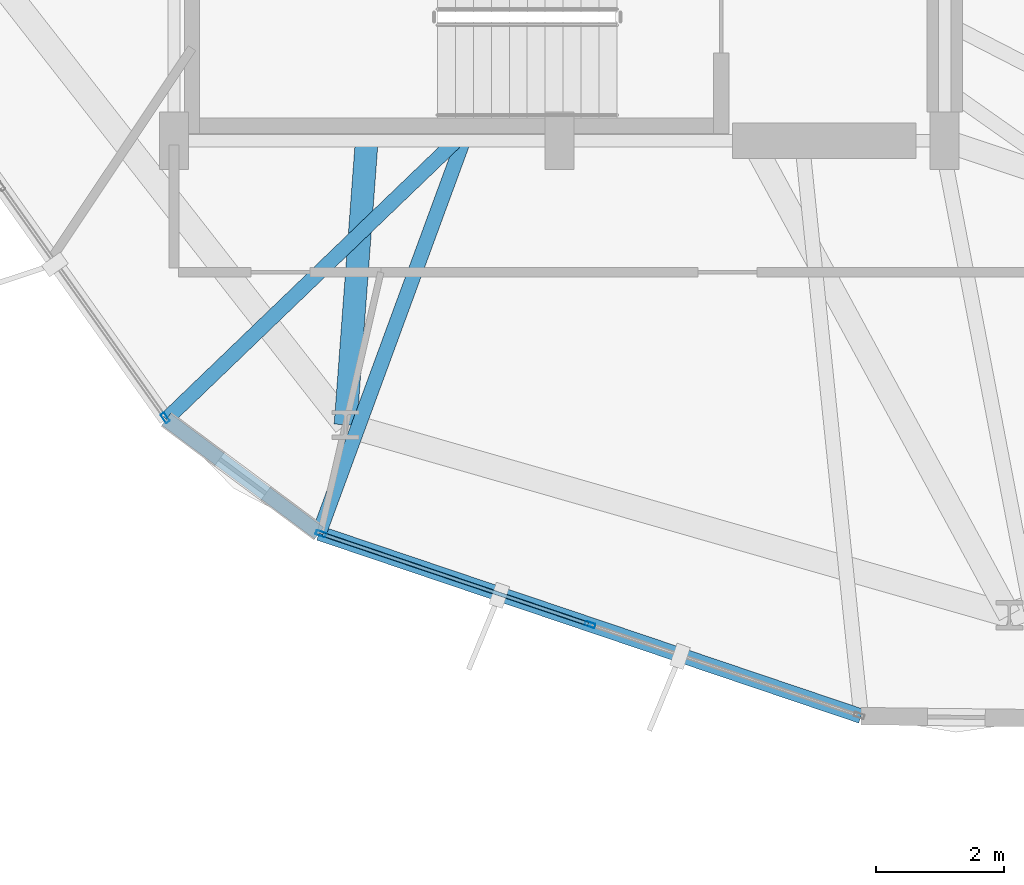
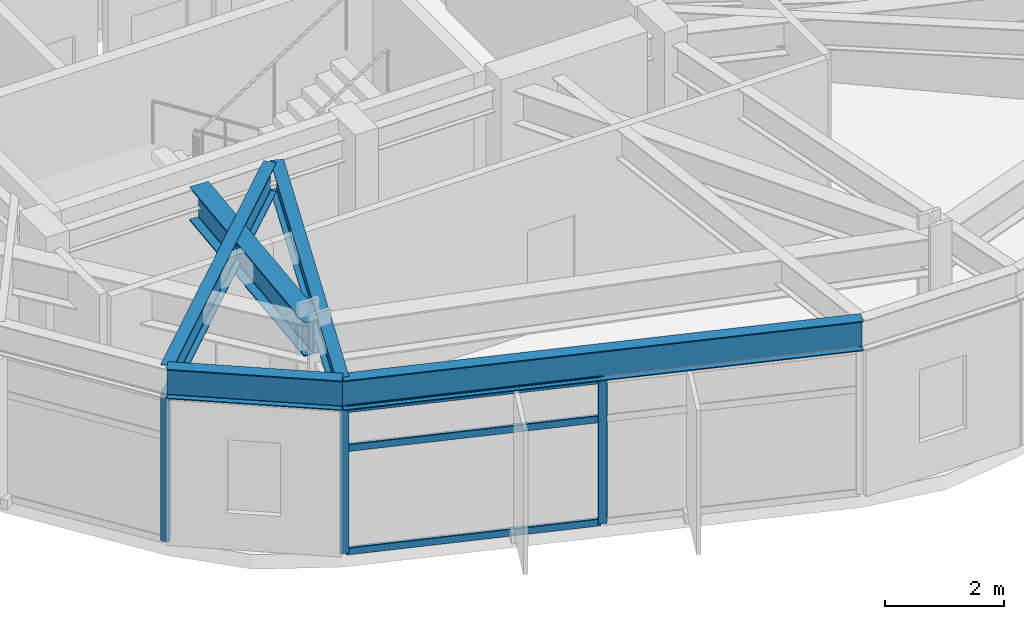
# One storey, part 2 of 27: 6 members, 5 beams, 2 elements without a shape of their own.
"""IFC4 building model written with IfcOpenShell, lengths in metres."""

import ifcopenshell
import ifcopenshell.guid

model = None  # the IFC model being written
_history = None  # IfcOwnerHistory: only IFC2X3 demands one
_inside = {}  # id of a spatial element -> (the spatial element, [elements in it])
_under = {}  # id of a project, library or spatial element -> (it, [spatial elements below it])
_declared = {}  # id of a project -> (the project, [libraries it declares])
_typed = {}  # id of a type object -> (the type object, [elements of that type])
_made_of = {}  # id of a material, layer set ... -> (it, [elements and type objects made of it])


def new_model(schema):
    """Start an empty IFC model of exactly this schema.

    Asked for "IFC4X3", IfcOpenShell would pick the latest addendum, in which some entities
    have other attributes; the version numbers below select the first issue.
    IFC2X3 requires an IfcOwnerHistory on every rooted entity: one is made here for all.
    """
    global model, _history
    if schema == "IFC4X3":
        model = ifcopenshell.file(schema_version=(4, 3, 0, 0))
    else:
        model = ifcopenshell.file(schema=schema)
    _inside.clear()
    _under.clear()
    _declared.clear()
    _typed.clear()
    _made_of.clear()
    _history = None
    if model.schema == "IFC2X3":
        org = make("IfcOrganization", Name="unknown")
        user = make(
            "IfcPersonAndOrganization",
            ThePerson=make("IfcPerson", FamilyName="unknown"),
            TheOrganization=org,
        )
        app = make(
            "IfcApplication",
            ApplicationDeveloper=org,
            Version="unknown",
            ApplicationFullName="unknown",
            ApplicationIdentifier="unknown",
        )
        _history = make(
            "IfcOwnerHistory",
            OwningUser=user,
            OwningApplication=app,
            ChangeAction="ADDED",
            CreationDate=0,
        )
    return model


def make(cls, **values):
    """One entity of the class cls with the attributes given. An attribute that is None is left unset."""
    return model.create_entity(
        cls, **{name: value for name, value in values.items() if value is not None}
    )


def rooted(cls, **values):
    """An entity with a GlobalId (a new one), such as an element, a storey or a relation."""
    return make(cls, GlobalId=ifcopenshell.guid.new(), OwnerHistory=_history, **values)


def si_unit(unit_type, name, prefix=None):
    """IfcSIUnit, for example si_unit("LENGTHUNIT", "METRE", prefix="MILLI")."""
    return make("IfcSIUnit", UnitType=unit_type, Prefix=prefix, Name=name)


def assignment(units):
    """IfcUnitAssignment: the units of a project."""
    return None if units is None else make("IfcUnitAssignment", Units=units)


def point(xyz):
    """IfcCartesianPoint."""
    return None if xyz is None else make("IfcCartesianPoint", Coordinates=xyz)


def direction(xyz):
    """IfcDirection."""
    return None if xyz is None else make("IfcDirection", DirectionRatios=xyz)


def frame(location, z_axis=None, x_axis=None):
    """IfcAxis2Placement3D, a coordinate frame: its origin and axes. An axis left out is left unset."""
    return make(
        "IfcAxis2Placement3D",
        Location=point(location),
        Axis=direction(z_axis),
        RefDirection=direction(x_axis),
    )


def frame_2d(location, x_axis=None):
    """IfcAxis2Placement2D, a coordinate frame in the plane: its origin and x axis."""
    return make(
        "IfcAxis2Placement2D", Location=point(location), RefDirection=direction(x_axis)
    )


def origin():
    """The frame at (0, 0, 0) with its axes left unset."""
    return frame((0.0, 0.0, 0.0))


def origin_2d():
    """The frame at (0, 0) in the plane with its x axis left unset."""
    return frame_2d((0.0, 0.0))


def place(relative_to, where):
    """IfcLocalPlacement: puts the frame where relative to a parent placement (None: the world)."""
    return make(
        "IfcLocalPlacement", PlacementRelTo=relative_to, RelativePlacement=where
    )


def context(
    kind, dimensions, precision=None, world=None, true_north=None, identifier=None
):
    """IfcGeometricRepresentationContext, for example the 3D "Model" context."""
    return make(
        "IfcGeometricRepresentationContext",
        ContextIdentifier=identifier,
        ContextType=kind,
        CoordinateSpaceDimension=dimensions,
        Precision=precision,
        WorldCoordinateSystem=world,
        TrueNorth=true_north,
    )


def subcontext(parent, identifier, kind, view, scale=None):
    """IfcGeometricRepresentationSubContext, for example "Body" below "Model"."""
    return make(
        "IfcGeometricRepresentationSubContext",
        ContextIdentifier=identifier,
        ContextType=kind,
        ParentContext=parent,
        TargetScale=scale,
        TargetView=view,
    )


def project(units=None, contexts=None):
    """IfcProject with its units and contexts."""
    return rooted(
        "IfcProject",
        Name="project",
        RepresentationContexts=contexts,
        UnitsInContext=assignment(units),
    )


def spatial(cls, under=None, at=None, **own):
    """A site, building, storey or space (cls), placed at a placement, below another one or the project."""
    s = rooted(cls, ObjectPlacement=at, **own)
    if under is not None:
        _under.setdefault(under.id(), (under, []))[1].append(s)
    return s


def profile(cls, at=None, kind="AREA", **sizes):
    """A parametric profile (cls). Its sizes go by their IFC names, for example OverallWidth=200.0."""
    return make(cls, ProfileType=kind, Position=at, **sizes)


def hollow_rectangle(**sizes):
    """IfcRectangleHollowProfileDef."""
    return profile("IfcRectangleHollowProfileDef", **sizes)


def i_section(**sizes):
    """IfcIShapeProfileDef."""
    return profile("IfcIShapeProfileDef", **sizes)


def extrude(swept, where, along, depth):
    """IfcExtrudedAreaSolid: the profile swept, set in the frame where, extruded along a direction by depth."""
    return make(
        "IfcExtrudedAreaSolid",
        SweptArea=swept,
        Position=where,
        ExtrudedDirection=direction(along),
        Depth=depth,
    )


def shape(context_of_items, identifier, shape_type, items):
    """IfcShapeRepresentation: the items that make up one representation, for example the "Body"."""
    return make(
        "IfcShapeRepresentation",
        ContextOfItems=context_of_items,
        RepresentationIdentifier=identifier,
        RepresentationType=shape_type,
        Items=items,
    )


def material(Name=None, Category=None):
    """IfcMaterial."""
    return make("IfcMaterial", Name=Name, Category=Category)


def layer(
    of_material, thickness, ventilated=None, Name=None, Category=None, Priority=None
):
    """IfcMaterialLayer: one layer of a wall or slab, of a material (None: an air gap)."""
    return make(
        "IfcMaterialLayer",
        Material=of_material,
        LayerThickness=thickness,
        IsVentilated=ventilated,
        Name=Name,
        Category=Category,
        Priority=Priority,
    )


def layer_set(layers, Name=None):
    """IfcMaterialLayerSet."""
    return make("IfcMaterialLayerSet", MaterialLayers=layers, LayerSetName=Name)


def material_profile(
    of_material, cross_section, Name=None, Category=None, Priority=None
):
    """IfcMaterialProfile: a cross section and its material."""
    return make(
        "IfcMaterialProfile",
        Name=Name,
        Material=of_material,
        Profile=cross_section,
        Priority=Priority,
        Category=Category,
    )


def profile_set(profiles, Name=None, composite=None):
    """IfcMaterialProfileSet."""
    return make(
        "IfcMaterialProfileSet",
        Name=Name,
        MaterialProfiles=profiles,
        CompositeProfile=composite,
    )


def made_of(thing, what):
    """Note that an element or type object is made of a material, layer set ...; save() writes the relation."""
    if what is not None:
        _made_of.setdefault(what.id(), (what, []))[1].append(thing)
    return thing


def type_object(cls, material=None, **own):
    """A type object (cls), such as IfcWallType, which elements share."""
    return made_of(rooted(cls, **own), material)


def element(
    cls,
    number,
    at=None,
    inside=None,
    cuts=None,
    type_object=None,
    material=None,
    context=None,
    identifier="Body",
    shape_type=None,
    held_by="IfcProductDefinitionShape",
    body=None,
    shapes=None,
    **own,
):
    """One element of the class cls, such as IfcWall. Its Tag is "e" and its number.

    at: its placement. inside: the storey or other place that contains it. cuts: it is an
    opening in that element (IfcRelVoidsElement). A single representation is given by context,
    identifier, shape_type and body (its items); several are given by shapes. held_by: the class
    of the entity that holds the representations. save() writes the other relations.
    """
    e = rooted(cls, Tag="e%d" % number, ObjectPlacement=at, **own)
    if body is not None:
        shapes = [shape(context, identifier, shape_type, body)]
    if shapes is not None:
        e.Representation = make(held_by, Representations=shapes)
    if inside is not None:
        _inside.setdefault(inside.id(), (inside, []))[1].append(e)
    if cuts is not None:
        rooted(
            "IfcRelVoidsElement", RelatingBuildingElement=cuts, RelatedOpeningElement=e
        )
    if type_object is not None:
        _typed.setdefault(type_object.id(), (type_object, []))[1].append(e)
    return made_of(e, material)


def aggregate(whole, parts):
    """IfcRelAggregates: a whole, such as a stair, and the parts it consists of."""
    return rooted("IfcRelAggregates", RelatingObject=whole, RelatedObjects=parts)


def save(model, path):
    """Write the relations noted so far, then the file.

    IfcRelAggregates (storeys below a building ...), IfcRelContainedInSpatialStructure (elements
    in a storey), IfcRelDefinesByType, IfcRelAssociatesMaterial and IfcRelDeclares: one each for
    every whole, place, type object, material and project.
    """
    for whole, parts in _under.values():
        aggregate(whole, parts)
    for where, things in _inside.values():
        rooted(
            "IfcRelContainedInSpatialStructure",
            RelatedElements=things,
            RelatingStructure=where,
        )
    for kind, things in _typed.values():
        rooted("IfcRelDefinesByType", RelatedObjects=things, RelatingType=kind)
    for what, things in _made_of.values():
        rooted("IfcRelAssociatesMaterial", RelatedObjects=things, RelatingMaterial=what)
    for by, libraries in _declared.values():
        rooted("IfcRelDeclares", RelatingContext=by, RelatedDefinitions=libraries)
    model.write(path)


model = new_model("IFC4")

# Units and contexts
model_context = context("Model", 3, precision=1e-05, world=origin(), true_north=direction((0.0, 1.0)))
body_context = subcontext(model_context, "Body", "Model", "MODEL_VIEW")
ifc_project = project(units=[si_unit("LENGTHUNIT", "METRE"), si_unit("AREAUNIT", "SQUARE_METRE"), si_unit("VOLUMEUNIT", "CUBIC_METRE"), si_unit("PLANEANGLEUNIT", "RADIAN"), si_unit("MASSUNIT", "GRAM", prefix="KILO")], contexts=[model_context])

# Site, building, storey
site_placement = place(None, origin())
site = spatial("IfcSite", under=ifc_project, at=site_placement, CompositionType="ELEMENT")
building_placement = place(site_placement, origin())
building = spatial("IfcBuilding", under=site, at=building_placement, Name="Soratama Intermodal Tower", CompositionType="ELEMENT")
storey_placement = place(building_placement, frame((0.0, 0.0, 95.199951171875)))
storey = spatial("IfcBuildingStorey", under=building, at=storey_placement, Name="L22", CompositionType="ELEMENT", Elevation=95.199951171875)

# Beams
ifc_material_1 = material(Name="Structural steel ASTM A992 Grade 50", Category="steel")
ifc_material_profile_1 = material_profile(ifc_material_1, i_section(OverallWidth=0.35498046875, OverallDepth=0.695068359375, WebThickness=0.015380859375, FlangeThickness=0.02490234375, FilletRadius=0.01611328125, at=origin_2d()), Name="W27X146")
ifc_profile_set_1 = profile_set([ifc_material_profile_1], Name="Structural steel ASTM A992 Grade 50")
beam_type_1 = type_object("IfcBeamType", Name="BM-RING-W27X146", PredefinedType="BEAM", material=ifc_profile_set_1)
beam_1_placement = place(storey_placement, frame((35.60009765625, 15.0, 3.25244140625), z_axis=(-0.074386442563, -0.997229490721, 0.0), x_axis=(0.997229490721, -0.074386442563, 0.0)))
element("IfcBeam", 1, at=beam_1_placement, inside=storey, type_object=beam_type_1, Name="BM-L22-RAD-07", PredefinedType="BEAM", context=body_context, shape_type="SweptSolid", body=[
    extrude(i_section(OverallWidth=0.35498046875, OverallDepth=0.695068359375, WebThickness=0.015380859375, FlangeThickness=0.02490234375, FilletRadius=0.01611328125, at=origin_2d()), origin(), (0.0, 0.0, 1.0), 4.437255859375),
])
ifc_material_2 = material(Name="Structural steel ASTM A992 Grade 50", Category="steel")
ifc_material_profile_2 = material_profile(ifc_material_2, i_section(OverallWidth=0.22900390625, OverallDepth=0.612060546875, WebThickness=0.011962890625, FlangeThickness=0.01953125, FilletRadius=0.012939453125, at=origin_2d()), Name="W24X84")
ifc_profile_set_2 = profile_set([ifc_material_profile_2], Name="Structural steel ASTM A992 Grade 50")
beam_type_2 = type_object("IfcBeamType", Name="BM-SPN-W24X84", PredefinedType="SPANDREL", material=ifc_profile_set_2)
beam_2_placement = place(storey_placement, frame((32.47802734375, 10.660888671875, 3.2939453125), z_axis=(0.802088394479, -0.597205331056, 0.0), x_axis=(0.597205331056, 0.802088394479, 0.0)))
element("IfcBeam", 2, at=beam_2_placement, inside=storey, type_object=beam_type_2, Name="BS-L22-CRN06", PredefinedType="SPANDREL", context=body_context, shape_type="SweptSolid", body=[
    extrude(i_section(OverallWidth=0.22900390625, OverallDepth=0.612060546875, WebThickness=0.011962890625, FlangeThickness=0.01953125, FilletRadius=0.012939453125, at=origin_2d()), origin(), (0.0, 0.0, 1.0), 2.967041015625),
])
beam_3_placement = place(storey_placement, frame((34.85791015625, 8.888916015625, 3.2939453125), z_axis=(0.947448364537, -0.319908731574, 0.0), x_axis=(0.319908731574, 0.947448364537, 0.0)))
element("IfcBeam", 3, at=beam_3_placement, inside=storey, type_object=beam_type_2, Name="BS-L22-F07", PredefinedType="SPANDREL", context=body_context, shape_type="SweptSolid", body=[
    extrude(i_section(OverallWidth=0.22900390625, OverallDepth=0.612060546875, WebThickness=0.011962890625, FlangeThickness=0.01953125, FilletRadius=0.012939453125, at=origin_2d()), origin(), (0.0, 0.0, 1.0), 8.908447265625),
])
ifc_material_3 = material(Name="Structural steel ASTM A992 Grade 50", Category="steel")
ifc_material_profile_3 = material_profile(ifc_material_3, i_section(OverallWidth=0.22900390625, OverallDepth=0.612060546875, WebThickness=0.011962890625, FlangeThickness=0.01953125, FilletRadius=0.012939453125, at=origin_2d()), Name="W24X84")
ifc_profile_set_3 = profile_set([ifc_material_profile_3], Name="Structural steel ASTM A992 Grade 50")
beam_type_3 = type_object("IfcBeamType", Name="BM-TIE-W24X84", PredefinedType="BEAM", material=ifc_profile_set_3)
beam_4_placement = place(storey_placement, frame((36.962890625, 14.971923828125, 3.2939453125), z_axis=(-0.720940144373, -0.692997336382, 0.0), x_axis=(0.692997336382, -0.720940144373, 0.0)))
element("IfcBeam", 4, at=beam_4_placement, inside=storey, type_object=beam_type_3, Name="BM-L22-TIE1-06", PredefinedType="BEAM", context=body_context, shape_type="SweptSolid", body=[
    extrude(i_section(OverallWidth=0.22900390625, OverallDepth=0.612060546875, WebThickness=0.011962890625, FlangeThickness=0.01953125, FilletRadius=0.012939453125, at=origin_2d()), origin(), (0.0, 0.0, 1.0), 6.220947265625),
])
beam_5_placement = place(storey_placement, frame((37.091064453125, 14.9619140625, 3.2939453125), z_axis=(-0.345124788558, -0.93855680719, 0.0), x_axis=(0.93855680719, -0.345124788558, 0.0)))
element("IfcBeam", 5, at=beam_5_placement, inside=storey, type_object=beam_type_3, Name="BM-L22-TIE0-07", PredefinedType="BEAM", context=body_context, shape_type="SweptSolid", body=[
    extrude(i_section(OverallWidth=0.22900390625, OverallDepth=0.612060546875, WebThickness=0.011962890625, FlangeThickness=0.01953125, FilletRadius=0.012939453125, at=origin_2d()), origin(), (0.0, 0.0, 1.0), 6.470458984375),
])

# Curtain wall, member
ifc_material_4 = material(Name="Double-glazed aluminium curtain wall", Category="aluminium")
ifc_layer = layer(ifc_material_4, 0.159912109375)
ifc_layer_set = layer_set([ifc_layer], Name="Double-glazed aluminium curtain wall")
curtain_wall_type = type_object("IfcCurtainWallType", Name="CW-SYS-3", PredefinedType="NOTDEFINED", material=ifc_layer_set)
curtain_wall_1_placement = place(storey_placement, origin())
curtain_wall_1 = element("IfcCurtainWall", 6, at=curtain_wall_1_placement, inside=storey, type_object=curtain_wall_type, Name="L22 Faceted Curtain Wall F06", PredefinedType="NOTDEFINED")
ifc_material_5 = material(Name="Anodised aluminium AA 6063-T6", Category="aluminium")
ifc_material_profile_4 = material_profile(ifc_material_5, hollow_rectangle(XDim=0.070068359375, YDim=0.159912109375, WallThickness=0.0048828125, InnerFilletRadius=0.0048828125, OuterFilletRadius=0.010009765625, at=origin_2d()), Name="CWM160X70X5")
ifc_profile_set_4 = profile_set([ifc_material_profile_4], Name="Anodised aluminium AA 6063-T6")
member_type_1 = type_object("IfcMemberType", Name="MT-CWM-3", PredefinedType="MULLION", material=ifc_profile_set_4)
member_1_placement = place(storey_placement, frame((32.4609375, 10.68505859375, 0.0), z_axis=(0.0, 0.0, 1.0), x_axis=(0.815736261587, 0.578424023993, 0.0)))
member_1 = element("IfcMember", 7, at=member_1_placement, type_object=member_type_1, Name="CW-3 mullion 3", PredefinedType="MULLION", context=body_context, shape_type="SweptSolid", body=[
    extrude(hollow_rectangle(XDim=0.070068359375, YDim=0.159912109375, WallThickness=0.0048828125, InnerFilletRadius=0.0048828125, OuterFilletRadius=0.010009765625, at=origin_2d()), origin(), (0.0, 0.0, 1.0), 2.97900390625),
])
aggregate(curtain_wall_1, [member_1])

# Curtain wall, members
curtain_wall_2_placement = place(storey_placement, origin())
curtain_wall_2 = element("IfcCurtainWall", 8, at=curtain_wall_2_placement, inside=storey, type_object=curtain_wall_type, Name="L22 Faceted Curtain Wall F07", PredefinedType="NOTDEFINED")
member_2_placement = place(storey_placement, frame((34.886474609375, 8.879638671875, 0.0), z_axis=(0.0, 0.0, 1.0), x_axis=(0.319953229189, 0.947433338621, 0.0)))
member_2 = element("IfcMember", 9, at=member_2_placement, type_object=member_type_1, Name="CW-3 mullion 1", PredefinedType="MULLION", context=body_context, shape_type="SweptSolid", body=[
    extrude(hollow_rectangle(XDim=0.070068359375, YDim=0.159912109375, WallThickness=0.0048828125, InnerFilletRadius=0.0048828125, OuterFilletRadius=0.010009765625, at=origin_2d()), origin(), (0.0, 0.0, 1.0), 2.97900390625),
])
member_3_placement = place(storey_placement, frame((39.078125, 7.464111328125, 0.0), z_axis=(0.0, 0.0, 1.0), x_axis=(0.319953229189, 0.947433338621, 0.0)))
member_3 = element("IfcMember", 10, at=member_3_placement, type_object=member_type_1, Name="CW-3 mullion 2", PredefinedType="MULLION", context=body_context, shape_type="SweptSolid", body=[
    extrude(hollow_rectangle(XDim=0.070068359375, YDim=0.159912109375, WallThickness=0.0048828125, InnerFilletRadius=0.0048828125, OuterFilletRadius=0.010009765625, at=origin_2d()), origin(), (0.0, 0.0, 1.0), 2.97900390625),
])
ifc_material_6 = material(Name="Anodised aluminium AA 6063-T6", Category="aluminium")
ifc_material_profile_5 = material_profile(ifc_material_6, hollow_rectangle(XDim=0.06494140625, YDim=0.14990234375, WallThickness=0.0048828125, InnerFilletRadius=0.0048828125, OuterFilletRadius=0.010009765625, at=origin_2d()), Name="CWT150X65X5")
ifc_profile_set_5 = profile_set([ifc_material_profile_5], Name="Anodised aluminium AA 6063-T6")
member_type_2 = type_object("IfcMemberType", Name="TT-CWT-1", PredefinedType="USERDEFINED", material=ifc_profile_set_5)
member_4_placement = place(storey_placement, frame((34.914794921875, 8.8701171875, 0.030029296875), z_axis=(0.947422763469, -0.31998454222, 0.0), x_axis=(0.31998454222, 0.947422763469, 0.0)))
member_4 = element("IfcMember", 11, at=member_4_placement, type_object=member_type_2, Name="CW-3 transom 1.1", ObjectType="TRANSOM", PredefinedType="USERDEFINED", context=body_context, shape_type="SweptSolid", body=[
    extrude(hollow_rectangle(XDim=0.06494140625, YDim=0.14990234375, WallThickness=0.0048828125, InnerFilletRadius=0.0048828125, OuterFilletRadius=0.010009765625, at=origin_2d()), origin(), (0.0, 0.0, 1.0), 4.3642578125),
])
member_5_placement = place(storey_placement, frame((34.914794921875, 8.8701171875, 2.150146484375), z_axis=(0.947422763469, -0.31998454222, 0.0), x_axis=(0.31998454222, 0.947422763469, 0.0)))
member_5 = element("IfcMember", 12, at=member_5_placement, type_object=member_type_2, Name="CW-3 transom 1.2", ObjectType="TRANSOM", PredefinedType="USERDEFINED", context=body_context, shape_type="SweptSolid", body=[
    extrude(hollow_rectangle(XDim=0.06494140625, YDim=0.14990234375, WallThickness=0.0048828125, InnerFilletRadius=0.0048828125, OuterFilletRadius=0.010009765625, at=origin_2d()), origin(), (0.0, 0.0, 1.0), 4.3642578125),
])
member_6_placement = place(storey_placement, frame((34.914794921875, 8.8701171875, 2.948974609375), z_axis=(0.947422763469, -0.31998454222, 0.0), x_axis=(0.31998454222, 0.947422763469, 0.0)))
member_6 = element("IfcMember", 13, at=member_6_placement, type_object=member_type_2, Name="CW-3 transom 1.3", ObjectType="TRANSOM", PredefinedType="USERDEFINED", context=body_context, shape_type="SweptSolid", body=[
    extrude(hollow_rectangle(XDim=0.06494140625, YDim=0.14990234375, WallThickness=0.0048828125, InnerFilletRadius=0.0048828125, OuterFilletRadius=0.010009765625, at=origin_2d()), origin(), (0.0, 0.0, 1.0), 4.3642578125),
])
aggregate(curtain_wall_2, [member_2, member_3, member_4, member_5, member_6])

save(model, "model.ifc")
